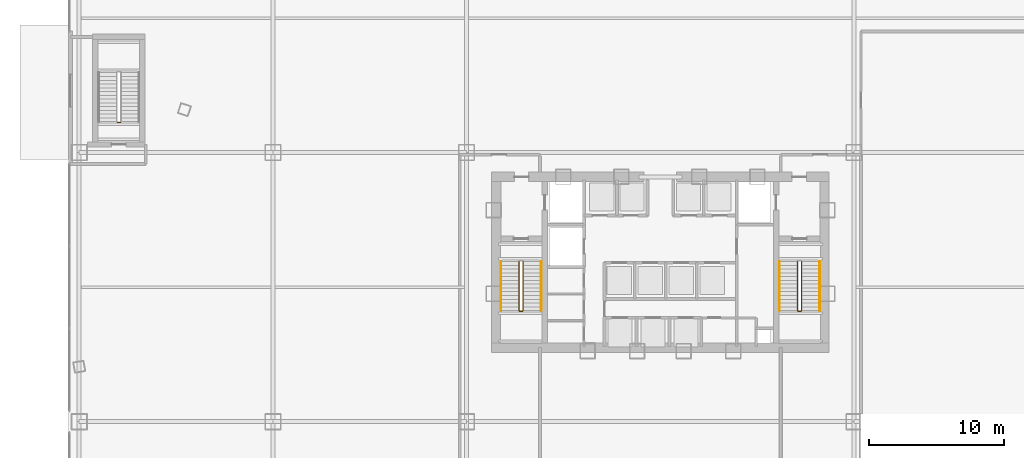
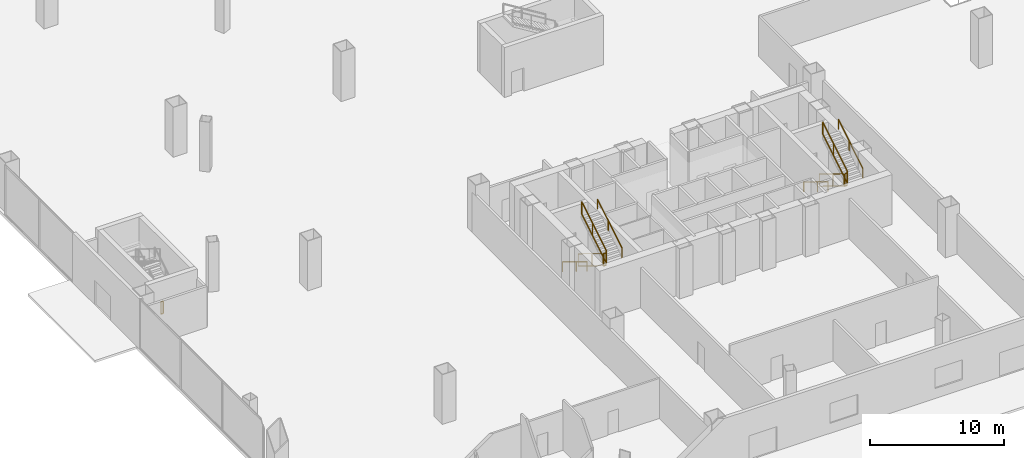
# One storey, part 54 of 58: 11 railings.
"""IFC4 building model written with IfcOpenShell, lengths in metres."""

from ifc_helpers import new_model, si_unit, direction, frame, origin, origin_2d, place, context, subcontext, project, spatial, rectangle, extrude, material, type_object, element, save


model = new_model("IFC4")

# Units and contexts
model_context = context("Model", 3, precision=1e-05, world=origin(), true_north=direction((0.0, 1.0)))
body_context = subcontext(model_context, "Body", "Model", "MODEL_VIEW")
ifc_project = project(units=[si_unit("LENGTHUNIT", "METRE"), si_unit("AREAUNIT", "SQUARE_METRE"), si_unit("VOLUMEUNIT", "CUBIC_METRE"), si_unit("PLANEANGLEUNIT", "RADIAN"), si_unit("MASSUNIT", "GRAM", prefix="KILO"), si_unit("THERMODYNAMICTEMPERATUREUNIT", "KELVIN"), si_unit("POWERUNIT", "WATT")], contexts=[model_context])

# Site, building, storey
site_placement = place(None, origin())
site = spatial("IfcSite", under=ifc_project, at=site_placement, CompositionType="ELEMENT")
building_placement = place(site_placement, origin())
building = spatial("IfcBuilding", under=site, at=building_placement, Name="Yunzhuo Pagoda Commons", CompositionType="ELEMENT")
storey_placement = place(building_placement, origin())
storey = spatial("IfcBuildingStorey", under=building, at=storey_placement, Name="L01", CompositionType="ELEMENT", Elevation=0.0)

# Railings
ifc_material = material(Name="Anodized aluminium 6063-T6", Category="aluminium")
railing_type_1 = type_object("IfcRailingType", Name="GR-PS3 Podium Well Guardrail 1150", PredefinedType="GUARDRAIL", material=ifc_material)
railing_1_placement = place(storey_placement, frame((7.85009765625, 44.25, 0.0)))
element("IfcRailing", 1, at=railing_1_placement, inside=storey, type_object=railing_type_1, Name="L01 PS3 stair guard 4", PredefinedType="GUARDRAIL", context=body_context, shape_type="SweptSolid", body=[
    extrude(rectangle(XDim=0.048095703125, YDim=0.048095703125, at=origin_2d()), frame((0.0, 0.0, 1.1259765625), z_axis=(-1.0, 0.0, 0.0), x_axis=(0.0, -1.0, 0.0)), (0.0, 0.0, 1.0), 0.2001953125),
    extrude(rectangle(XDim=0.048095703125, YDim=0.048095703125, at=origin_2d()), frame((0.0, 0.0, 0.02392578125), z_axis=(-1.0, 0.0, 0.0), x_axis=(0.0, -1.0, 0.0)), (0.0, 0.0, 1.0), 0.2001953125),
    extrude(rectangle(XDim=0.0419921875, YDim=0.0419921875, at=origin_2d()), origin(), (0.0, 0.0, 1.0), 1.101806640625),
    extrude(rectangle(XDim=0.0419921875, YDim=0.0419921875, at=origin_2d()), frame((-0.2001953125, 0.0, 0.0)), (0.0, 0.0, 1.0), 1.101806640625),
])
railing_type_2 = type_object("IfcRailingType", Name="GR-ST1 Stair Well Guardrail 1150", PredefinedType="GUARDRAIL", material=ifc_material)
railing_2_placement = place(storey_placement, frame((37.5, 33.89990234375, 0.17138671875)))
element("IfcRailing", 2, at=railing_2_placement, inside=storey, type_object=railing_type_2, Name="L01 ST1 stair guard 1", PredefinedType="GUARDRAIL", context=body_context, shape_type="SweptSolid", body=[
    extrude(rectangle(XDim=0.048095703125, YDim=0.048095703125, at=origin_2d()), frame((0.0, 0.0, 1.1259765625), z_axis=(0.0, -0.852850264322, 0.5221555579), x_axis=(1.0, 0.0, 0.0)), (0.0, 0.0, 1.0), 4.267822265625),
    extrude(rectangle(XDim=0.048095703125, YDim=0.048095703125, at=origin_2d()), frame((0.0, 0.0, 0.02392578125), z_axis=(0.0, -0.852850264322, 0.5221555579), x_axis=(1.0, 0.0, 0.0)), (0.0, 0.0, 1.0), 4.267822265625),
    extrude(rectangle(XDim=0.0419921875, YDim=0.0419921875, at=origin_2d()), origin(), (0.0, 0.0, 1.0), 1.101806640625),
    extrude(rectangle(XDim=0.0419921875, YDim=0.0419921875, at=origin_2d()), frame((0.0, -2.046875, 1.253173828125)), (0.0, 0.0, 1.0), 1.101806640625),
    extrude(rectangle(XDim=0.0419921875, YDim=0.0419921875, at=origin_2d()), frame((0.0, -3.639892578125, 2.228515625)), (0.0, 0.0, 1.0), 1.101806640625),
])
railing_3_placement = place(storey_placement, frame((37.550048828125, 30.2099609375, 2.39990234375)))
element("IfcRailing", 3, at=railing_3_placement, inside=storey, type_object=railing_type_2, Name="L01 ST1 stair guard 2", PredefinedType="GUARDRAIL", context=body_context, shape_type="SweptSolid", body=[
    extrude(rectangle(XDim=0.048095703125, YDim=0.048095703125, at=origin_2d()), frame((0.0, 0.0, 1.1259765625), z_axis=(1.0, 0.0, 0.0), x_axis=(0.0, 1.0, 0.0)), (0.0, 0.0, 1.0), 0.199951171875),
    extrude(rectangle(XDim=0.048095703125, YDim=0.048095703125, at=origin_2d()), frame((0.0, 0.0, 0.02392578125), z_axis=(1.0, 0.0, 0.0), x_axis=(0.0, 1.0, 0.0)), (0.0, 0.0, 1.0), 0.199951171875),
    extrude(rectangle(XDim=0.0419921875, YDim=0.0419921875, at=origin_2d()), origin(), (0.0, 0.0, 1.0), 1.101806640625),
    extrude(rectangle(XDim=0.0419921875, YDim=0.0419921875, at=origin_2d()), frame((0.199951171875, 0.0, 0.0)), (0.0, 0.0, 1.0), 1.101806640625),
])
railing_4_placement = place(storey_placement, frame((37.800048828125, 30.260009765625, 2.571533203125)))
element("IfcRailing", 4, at=railing_4_placement, inside=storey, type_object=railing_type_2, Name="L01 ST1 stair guard 3", PredefinedType="GUARDRAIL", context=body_context, shape_type="SweptSolid", body=[
    extrude(rectangle(XDim=0.048095703125, YDim=0.048095703125, at=origin_2d()), frame((0.0, 0.0, 1.1259765625), z_axis=(0.0, 0.852850264322, 0.5221555579), x_axis=(-1.0, 0.0, 0.0)), (0.0, 0.0, 1.0), 4.267822265625),
    extrude(rectangle(XDim=0.048095703125, YDim=0.048095703125, at=origin_2d()), frame((0.0, 0.0, 0.02392578125), z_axis=(0.0, 0.852850264322, 0.5221555579), x_axis=(-1.0, 0.0, 0.0)), (0.0, 0.0, 1.0), 4.267822265625),
    extrude(rectangle(XDim=0.0419921875, YDim=0.0419921875, at=origin_2d()), origin(), (0.0, 0.0, 1.0), 1.101806640625),
    extrude(rectangle(XDim=0.0419921875, YDim=0.0419921875, at=origin_2d()), frame((0.0, 2.046875, 1.253173828125)), (0.0, 0.0, 1.0), 1.101806640625),
    extrude(rectangle(XDim=0.0419921875, YDim=0.0419921875, at=origin_2d()), frame((0.0, 3.639892578125, 2.228515625)), (0.0, 0.0, 1.0), 1.101806640625),
])
railing_type_3 = type_object("IfcRailingType", Name="GR-ST2 Stair Well Guardrail 1160", PredefinedType="GUARDRAIL", material=ifc_material)
railing_5_placement = place(storey_placement, frame((58.199951171875, 33.89990234375, 0.17138671875)))
element("IfcRailing", 5, at=railing_5_placement, inside=storey, type_object=railing_type_3, Name="L01 ST2 stair guard 1", PredefinedType="GUARDRAIL", context=body_context, shape_type="SweptSolid", body=[
    extrude(rectangle(XDim=0.048095703125, YDim=0.048095703125, at=origin_2d()), frame((0.0, 0.0, 1.1259765625), z_axis=(0.0, -0.852850264322, 0.5221555579), x_axis=(1.0, 0.0, 0.0)), (0.0, 0.0, 1.0), 4.267822265625),
    extrude(rectangle(XDim=0.048095703125, YDim=0.048095703125, at=origin_2d()), frame((0.0, 0.0, 0.02392578125), z_axis=(0.0, -0.852850264322, 0.5221555579), x_axis=(1.0, 0.0, 0.0)), (0.0, 0.0, 1.0), 4.267822265625),
    extrude(rectangle(XDim=0.0419921875, YDim=0.0419921875, at=origin_2d()), origin(), (0.0, 0.0, 1.0), 1.101806640625),
    extrude(rectangle(XDim=0.0419921875, YDim=0.0419921875, at=origin_2d()), frame((0.0, -2.046875, 1.253173828125)), (0.0, 0.0, 1.0), 1.101806640625),
    extrude(rectangle(XDim=0.0419921875, YDim=0.0419921875, at=origin_2d()), frame((0.0, -3.639892578125, 2.228515625)), (0.0, 0.0, 1.0), 1.101806640625),
])
railing_6_placement = place(storey_placement, frame((58.25, 30.2099609375, 2.39990234375)))
element("IfcRailing", 6, at=railing_6_placement, inside=storey, type_object=railing_type_3, Name="L01 ST2 stair guard 2", PredefinedType="GUARDRAIL", context=body_context, shape_type="SweptSolid", body=[
    extrude(rectangle(XDim=0.048095703125, YDim=0.048095703125, at=origin_2d()), frame((0.0, 0.0, 1.1259765625), z_axis=(1.0, 0.0, 0.0), x_axis=(0.0, 1.0, 0.0)), (0.0, 0.0, 1.0), 0.199951171875),
    extrude(rectangle(XDim=0.048095703125, YDim=0.048095703125, at=origin_2d()), frame((0.0, 0.0, 0.02392578125), z_axis=(1.0, 0.0, 0.0), x_axis=(0.0, 1.0, 0.0)), (0.0, 0.0, 1.0), 0.199951171875),
    extrude(rectangle(XDim=0.0419921875, YDim=0.0419921875, at=origin_2d()), origin(), (0.0, 0.0, 1.0), 1.101806640625),
    extrude(rectangle(XDim=0.0419921875, YDim=0.0419921875, at=origin_2d()), frame((0.199951171875, 0.0, 0.0)), (0.0, 0.0, 1.0), 1.101806640625),
])
railing_7_placement = place(storey_placement, frame((58.5, 30.260009765625, 2.571533203125)))
element("IfcRailing", 7, at=railing_7_placement, inside=storey, type_object=railing_type_3, Name="L01 ST2 stair guard 3", PredefinedType="GUARDRAIL", context=body_context, shape_type="SweptSolid", body=[
    extrude(rectangle(XDim=0.048095703125, YDim=0.048095703125, at=origin_2d()), frame((0.0, 0.0, 1.1259765625), z_axis=(0.0, 0.852850264322, 0.5221555579), x_axis=(-1.0, 0.0, 0.0)), (0.0, 0.0, 1.0), 4.267822265625),
    extrude(rectangle(XDim=0.048095703125, YDim=0.048095703125, at=origin_2d()), frame((0.0, 0.0, 0.02392578125), z_axis=(0.0, 0.852850264322, 0.5221555579), x_axis=(-1.0, 0.0, 0.0)), (0.0, 0.0, 1.0), 4.267822265625),
    extrude(rectangle(XDim=0.0419921875, YDim=0.0419921875, at=origin_2d()), origin(), (0.0, 0.0, 1.0), 1.101806640625),
    extrude(rectangle(XDim=0.0419921875, YDim=0.0419921875, at=origin_2d()), frame((0.0, 2.046875, 1.253173828125)), (0.0, 0.0, 1.0), 1.101806640625),
    extrude(rectangle(XDim=0.0419921875, YDim=0.0419921875, at=origin_2d()), frame((0.0, 3.639892578125, 2.228515625)), (0.0, 0.0, 1.0), 1.101806640625),
])
railing_type_4 = type_object("IfcRailingType", Name="HR-ST1 Stair Handrail 900", PredefinedType="HANDRAIL", material=ifc_material)
railing_8_placement = place(storey_placement, frame((36.14990234375, 33.89990234375, 0.17138671875)))
element("IfcRailing", 8, at=railing_8_placement, inside=storey, type_object=railing_type_4, Name="L01 ST1 stair handrail 1", PredefinedType="HANDRAIL", context=body_context, shape_type="SweptSolid", body=[
    extrude(rectangle(XDim=0.048095703125, YDim=0.048095703125, at=origin_2d()), frame((0.0, 0.0, 0.8759765625), z_axis=(0.0, -0.852850264322, 0.5221555579), x_axis=(1.0, 0.0, 0.0)), (0.0, 0.0, 1.0), 4.267822265625),
    extrude(rectangle(XDim=0.0419921875, YDim=0.0419921875, at=origin_2d()), origin(), (0.0, 0.0, 1.0), 0.851806640625),
    extrude(rectangle(XDim=0.0419921875, YDim=0.0419921875, at=origin_2d()), frame((0.0, -2.046875, 1.253173828125)), (0.0, 0.0, 1.0), 0.851806640625),
    extrude(rectangle(XDim=0.0419921875, YDim=0.0419921875, at=origin_2d()), frame((0.0, -3.639892578125, 2.228515625)), (0.0, 0.0, 1.0), 0.851806640625),
])
railing_9_placement = place(storey_placement, frame((39.14990234375, 30.260009765625, 2.571533203125)))
element("IfcRailing", 9, at=railing_9_placement, inside=storey, type_object=railing_type_4, Name="L01 ST1 stair handrail 2", PredefinedType="HANDRAIL", context=body_context, shape_type="SweptSolid", body=[
    extrude(rectangle(XDim=0.048095703125, YDim=0.048095703125, at=origin_2d()), frame((0.0, 0.0, 0.8759765625), z_axis=(0.0, 0.852850264322, 0.5221555579), x_axis=(-1.0, 0.0, 0.0)), (0.0, 0.0, 1.0), 4.267822265625),
    extrude(rectangle(XDim=0.0419921875, YDim=0.0419921875, at=origin_2d()), origin(), (0.0, 0.0, 1.0), 0.851806640625),
    extrude(rectangle(XDim=0.0419921875, YDim=0.0419921875, at=origin_2d()), frame((0.0, 2.046875, 1.253173828125)), (0.0, 0.0, 1.0), 0.851806640625),
    extrude(rectangle(XDim=0.0419921875, YDim=0.0419921875, at=origin_2d()), frame((0.0, 3.639892578125, 2.228515625)), (0.0, 0.0, 1.0), 0.851806640625),
])
railing_type_5 = type_object("IfcRailingType", Name="HR-ST2 Stair Handrail 900", PredefinedType="HANDRAIL", material=ifc_material)
railing_10_placement = place(storey_placement, frame((56.85009765625, 33.89990234375, 0.17138671875)))
element("IfcRailing", 10, at=railing_10_placement, inside=storey, type_object=railing_type_5, Name="L01 ST2 stair handrail 1", PredefinedType="HANDRAIL", context=body_context, shape_type="SweptSolid", body=[
    extrude(rectangle(XDim=0.048095703125, YDim=0.048095703125, at=origin_2d()), frame((0.0, 0.0, 0.8759765625), z_axis=(0.0, -0.852850264322, 0.5221555579), x_axis=(1.0, 0.0, 0.0)), (0.0, 0.0, 1.0), 4.267822265625),
    extrude(rectangle(XDim=0.0419921875, YDim=0.0419921875, at=origin_2d()), origin(), (0.0, 0.0, 1.0), 0.851806640625),
    extrude(rectangle(XDim=0.0419921875, YDim=0.0419921875, at=origin_2d()), frame((0.0, -2.046875, 1.253173828125)), (0.0, 0.0, 1.0), 0.851806640625),
    extrude(rectangle(XDim=0.0419921875, YDim=0.0419921875, at=origin_2d()), frame((0.0, -3.639892578125, 2.228515625)), (0.0, 0.0, 1.0), 0.851806640625),
])
railing_11_placement = place(storey_placement, frame((59.85009765625, 30.260009765625, 2.571533203125)))
element("IfcRailing", 11, at=railing_11_placement, inside=storey, type_object=railing_type_5, Name="L01 ST2 stair handrail 2", PredefinedType="HANDRAIL", context=body_context, shape_type="SweptSolid", body=[
    extrude(rectangle(XDim=0.048095703125, YDim=0.048095703125, at=origin_2d()), frame((0.0, 0.0, 0.8759765625), z_axis=(0.0, 0.852850264322, 0.5221555579), x_axis=(-1.0, 0.0, 0.0)), (0.0, 0.0, 1.0), 4.267822265625),
    extrude(rectangle(XDim=0.0419921875, YDim=0.0419921875, at=origin_2d()), origin(), (0.0, 0.0, 1.0), 0.851806640625),
    extrude(rectangle(XDim=0.0419921875, YDim=0.0419921875, at=origin_2d()), frame((0.0, 2.046875, 1.253173828125)), (0.0, 0.0, 1.0), 0.851806640625),
    extrude(rectangle(XDim=0.0419921875, YDim=0.0419921875, at=origin_2d()), frame((0.0, 3.639892578125, 2.228515625)), (0.0, 0.0, 1.0), 0.851806640625),
])

save(model, "model.ifc")
